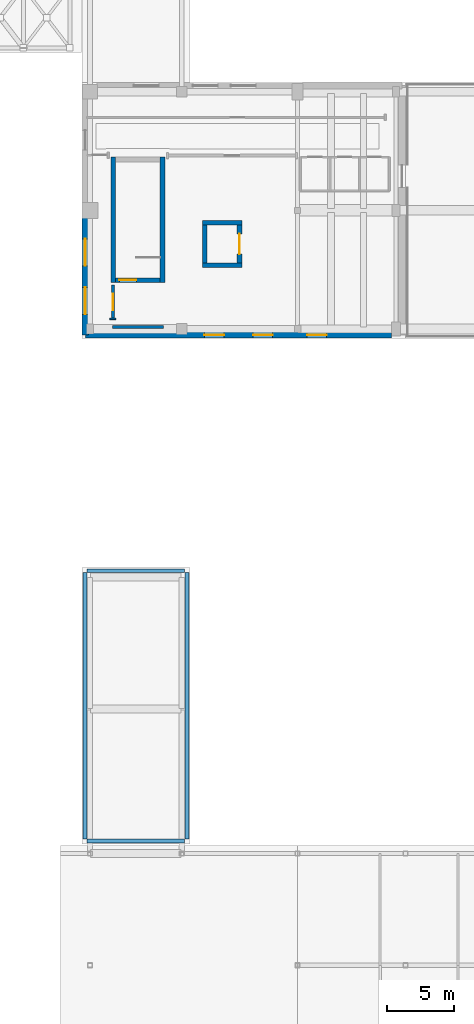
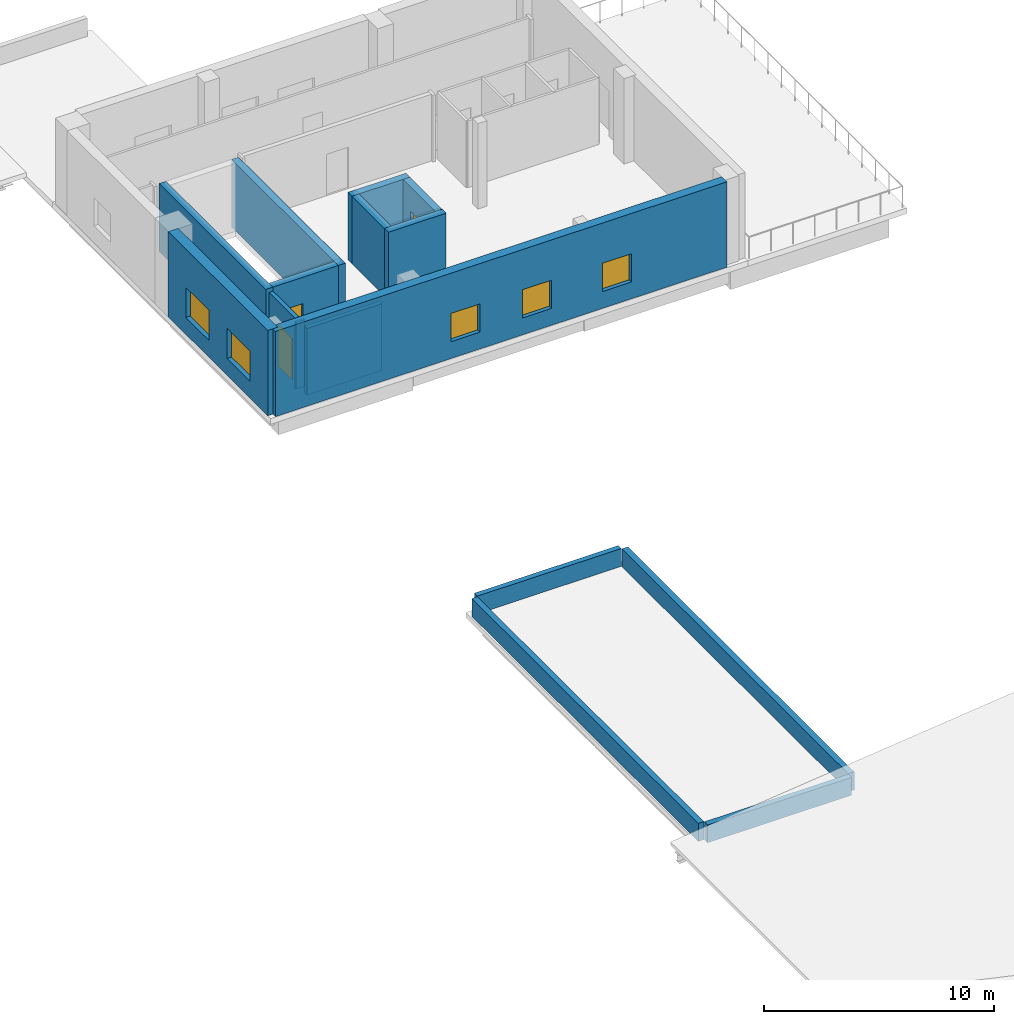
# One storey, part 34 of 49: 16 walls, 5 windows, 3 doors, 8 openings.
"""IFC4 building model written with IfcOpenShell, lengths in metres."""

from ifc_helpers import new_model, si_unit, direction, frame, frame_2d, origin, place, context, subcontext, project, spatial, rectangle, extrude, material, layer, layer_set, type_object, element, fill, save


model = new_model("IFC4")

# Units and contexts
model_context = context("Model", 3, precision=1e-05, world=origin(), true_north=direction((0.0, 1.0)))
body_context = subcontext(model_context, "Body", "Model", "MODEL_VIEW")
ifc_project = project(units=[si_unit("LENGTHUNIT", "METRE"), si_unit("AREAUNIT", "SQUARE_METRE"), si_unit("VOLUMEUNIT", "CUBIC_METRE"), si_unit("PLANEANGLEUNIT", "RADIAN"), si_unit("MASSUNIT", "GRAM", prefix="KILO")], contexts=[model_context])

# Site, building, storey
site_placement = place(None, origin())
site = spatial("IfcSite", under=ifc_project, at=site_placement, CompositionType="ELEMENT")
building_placement = place(site_placement, origin())
building = spatial("IfcBuilding", under=site, at=building_placement, Name="Soyqirgoq Riverine Aquarium", CompositionType="ELEMENT")
storey_placement = place(building_placement, frame((0.0, 0.0, 15.0)))
storey = spatial("IfcBuildingStorey", under=building, at=storey_placement, Name="L04", CompositionType="ELEMENT", Elevation=15.0)

# Walls
ifc_material_1 = material(Name="Concrete C40/50", Category="concrete")
ifc_layer_1 = layer(ifc_material_1, 0.35009765625)
ifc_layer_set_1 = layer_set([ifc_layer_1], Name="Concrete C40/50")
wall_type_1 = type_object("IfcWallType", Name="CoreShearWall_350_C40", PredefinedType="SHEAR", material=ifc_layer_set_1)
for number, where, z_axis, x_axis, name in (
    (1, (127.97509765625, 60.14990234375, 0.0), (0.0, 0.0, 1.0), (0.0, 1.0, 0.0), "CORE-7 L04 Stair Core Shear Wall SIDE1"),
    (2, (124.324951171875, 69.449951171875, 0.0), (0.0, 0.0, 1.0), (0.0, -1.0, 0.0), "CORE-7 L04 Stair Core Shear Wall SIDE2"),
):
    element("IfcWall", number, at=place(storey_placement, frame(where, z_axis=z_axis, x_axis=x_axis)), inside=storey, type_object=wall_type_1, Name=name, PredefinedType="SHEAR", context=body_context, shape_type="SweptSolid", body=[
        extrude(rectangle(XDim=9.300048828125, YDim=0.35009765625, at=frame_2d((4.64990234375, 0.0))), origin(), (0.0, 0.0, 1.0), 3.60009765625),
    ])

# Wall, opening, door
wall_1_placement = place(storey_placement, frame((124.5, 60.324951171875, 0.0), z_axis=(0.0, 0.0, 1.0), x_axis=(1.0, 0.0, 0.0)))
wall_1 = element("IfcWall", 3, at=wall_1_placement, inside=storey, type_object=wall_type_1, Name="CORE-7 L04 Stair Core Shear Wall FRONT", PredefinedType="SHEAR", context=body_context, shape_type="SweptSolid", body=[
    extrude(rectangle(XDim=3.300048828125, YDim=0.35009765625, at=frame_2d((1.64990234375, 0.0))), origin(), (0.0, 0.0, 1.0), 3.60009765625),
])
opening_1_placement = place(wall_1_placement, frame((0.280029296875, 0.0, 0.0)))
opening_1 = element("IfcOpeningElement", 4, at=opening_1_placement, cuts=wall_1, Name="Opening FD-01", PredefinedType="OPENING", context=body_context, shape_type="SweptSolid", body=[
    extrude(rectangle(XDim=1.25, YDim=2.199951171875, at=frame_2d((0.625, 1.10009765625))), frame((0.0, 0.18505859375, 0.0), z_axis=(0.0, -1.0, 0.0), x_axis=(1.0, 0.0, 0.0)), (0.0, 0.0, 1.0), 0.3701171875),
])
ifc_material_2 = material(Name="Galvanised steel fire-resisting stair door", Category="steel")
door_type_1 = type_object("IfcDoorType", Name="StairFireDoor_1250x2200_EI90", OperationType="NOTDEFINED", PredefinedType="DOOR", material=ifc_material_2)
door_1_placement = place(opening_1_placement, origin())
door_1 = element("IfcDoor", 5, at=door_1_placement, inside=storey, type_object=door_type_1, Name="DR-ST-8-L04 ST-8 L04 Fire-Rated Stairwell Door", OperationType="SINGLE_SWING_LEFT", OverallHeight=2.199951171875, OverallWidth=1.25, PredefinedType="DOOR", context=body_context, shape_type="SweptSolid", body=[
    extrude(rectangle(XDim=1.25, YDim=2.199951171875, at=frame_2d((0.625, 1.10009765625))), frame((0.0, 0.02490234375, 0.0), z_axis=(0.0, -1.0, 0.0), x_axis=(1.0, 0.0, 0.0)), (0.0, 0.0, 1.0), 0.050048828125),
])
fill(opening_1, door_1)

# Wall
wall_2_placement = place(storey_placement, frame((130.945068359375, 61.419921875, 0.0), z_axis=(0.0, 0.0, 1.0), x_axis=(1.0, 0.0, 0.0)))
element("IfcWall", 6, at=wall_2_placement, inside=storey, type_object=wall_type_1, Name="Lift GL-2 Shaft Wall L04 1", PredefinedType="SHEAR", context=body_context, shape_type="SweptSolid", body=[
    extrude(rectangle(XDim=2.909912109375, YDim=0.35009765625, at=frame_2d((1.455078125, 0.0))), origin(), (0.0, 0.0, 1.0), 3.60009765625),
])

# Wall, opening, door
wall_3_placement = place(storey_placement, frame((133.679931640625, 61.594970703125, 0.0), z_axis=(0.0, 0.0, 1.0), x_axis=(0.0, 1.0, 0.0)))
wall_3 = element("IfcWall", 7, at=wall_3_placement, inside=storey, type_object=wall_type_1, Name="Lift GL-2 Shaft Wall L04 2", PredefinedType="SHEAR", context=body_context, shape_type="SweptSolid", body=[
    extrude(rectangle(XDim=2.81005859375, YDim=0.35009765625, at=frame_2d((1.405029296875, 0.0))), origin(), (0.0, 0.0, 1.0), 3.60009765625),
])
opening_2_placement = place(wall_3_placement, frame((0.655029296875, 0.0, 0.0)))
opening_2 = element("IfcOpeningElement", 8, at=opening_2_placement, cuts=wall_3, Name="Opening LD-02", PredefinedType="OPENING", context=body_context, shape_type="SweptSolid", body=[
    extrude(rectangle(XDim=1.5, YDim=2.300048828125, at=frame_2d((0.75, 1.14990234375))), frame((0.0, 0.18505859375, 0.0), z_axis=(0.0, -1.0, 0.0), x_axis=(1.0, 0.0, 0.0)), (0.0, 0.0, 1.0), 0.3701171875),
])
ifc_material_3 = material(Name="Heavy-duty stainless steel bi-parting lift landing door", Category="steel")
door_type_2 = type_object("IfcDoorType", Name="GoodsLiftLandingDoor_1500x2300", OperationType="SLIDING_TO_LEFT", PredefinedType="DOOR", material=ifc_material_3)
door_2_placement = place(opening_2_placement, origin())
door_2 = element("IfcDoor", 9, at=door_2_placement, inside=storey, type_object=door_type_2, Name="LD-GL-2-L04 Lift GL-2 L04 Sliding Landing Door", OperationType="SLIDING_TO_LEFT", OverallHeight=2.300048828125, OverallWidth=1.5, PredefinedType="DOOR", context=body_context, shape_type="SweptSolid", body=[
    extrude(rectangle(XDim=1.5, YDim=2.300048828125, at=frame_2d((0.75, 1.14990234375))), frame((0.0, 0.02490234375, 0.0), z_axis=(0.0, -1.0, 0.0), x_axis=(1.0, 0.0, 0.0)), (0.0, 0.0, 1.0), 0.050048828125),
])
fill(opening_2, door_2)

# Walls
wall_4_placement = place(storey_placement, frame((133.85498046875, 64.580078125, 0.0), z_axis=(0.0, 0.0, 1.0), x_axis=(-1.0, 0.0, 0.0)))
element("IfcWall", 10, at=wall_4_placement, inside=storey, type_object=wall_type_1, Name="Lift GL-2 Shaft Wall L04 3", PredefinedType="SHEAR", context=body_context, shape_type="SweptSolid", body=[
    extrude(rectangle(XDim=2.909912109375, YDim=0.35009765625, at=frame_2d((1.455078125, 0.0))), origin(), (0.0, 0.0, 1.0), 3.60009765625),
])
wall_5_placement = place(storey_placement, frame((131.1201171875, 64.405029296875, 0.0), z_axis=(0.0, 0.0, 1.0), x_axis=(0.0, -1.0, 0.0)))
element("IfcWall", 11, at=wall_5_placement, inside=storey, type_object=wall_type_1, Name="Lift GL-2 Shaft Wall L04 4", PredefinedType="SHEAR", context=body_context, shape_type="SweptSolid", body=[
    extrude(rectangle(XDim=2.81005859375, YDim=0.35009765625, at=frame_2d((1.405029296875, 0.0))), origin(), (0.0, 0.0, 1.0), 3.60009765625),
])
ifc_material_4 = material(Name="Precast concrete C40/50", Category="concrete")
ifc_layer_2 = layer(ifc_material_4, 0.260009765625)
ifc_layer_set_2 = layer_set([ifc_layer_2], Name="Precast concrete C40/50")
wall_type_2 = type_object("IfcWallType", Name="ParapetWall_260", PredefinedType="PARAPET", material=ifc_layer_set_2)
wall_6_placement = place(storey_placement, frame((122.3798828125, 38.780029296875, 0.0), z_axis=(0.0, 0.0, 1.0), x_axis=(1.0, 0.0, 0.0)))
element("IfcWall", 12, at=wall_6_placement, inside=storey, type_object=wall_type_2, Name="L04 Roof Parapet Upstand 002", PredefinedType="PARAPET", context=body_context, shape_type="SweptSolid", body=[
    extrude(rectangle(XDim=7.240234375, YDim=0.260009765625, at=frame_2d((3.6201171875, 0.0))), origin(), (0.0, 0.0, 1.0), 0.949951171875),
])
ifc_material_5 = material(Name="Precast concrete C40/50", Category="concrete")
ifc_layer_3 = layer(ifc_material_5, 0.280029296875)
ifc_layer_set_3 = layer_set([ifc_layer_3], Name="Precast concrete C40/50")
wall_type_3 = type_object("IfcWallType", Name="ParapetWall_280", PredefinedType="PARAPET", material=ifc_layer_set_3)
wall_7_placement = place(storey_placement, frame((122.219970703125, 18.8798828125, 0.0), z_axis=(0.0, 0.0, 1.0), x_axis=(0.0, 1.0, 0.0)))
element("IfcWall", 13, at=wall_7_placement, inside=storey, type_object=wall_type_3, Name="L04 Roof Parapet Upstand 001", PredefinedType="PARAPET", context=body_context, shape_type="SweptSolid", body=[
    extrude(rectangle(XDim=19.740234375, YDim=0.280029296875, at=frame_2d((9.8701171875, 0.0))), origin(), (0.0, 0.0, 1.0), 0.949951171875),
])
wall_8_placement = place(storey_placement, frame((129.6201171875, 18.719970703125, 0.0), z_axis=(0.0, 0.0, 1.0), x_axis=(-1.0, 0.0, 0.0)))
element("IfcWall", 14, at=wall_8_placement, inside=storey, type_object=wall_type_3, Name="L04 Roof Parapet Upstand 004", PredefinedType="PARAPET", context=body_context, shape_type="SweptSolid", body=[
    extrude(rectangle(XDim=7.240234375, YDim=0.280029296875, at=frame_2d((3.6201171875, 0.0))), origin(), (0.0, 0.0, 1.0), 0.949951171875),
])
ifc_material_6 = material(Name="Precast concrete C40/50", Category="concrete")
ifc_layer_4 = layer(ifc_material_6, 0.300048828125)
ifc_layer_set_4 = layer_set([ifc_layer_4], Name="Precast concrete C40/50")
wall_type_4 = type_object("IfcWallType", Name="ParapetWall_300", PredefinedType="PARAPET", material=ifc_layer_set_4)
wall_9_placement = place(storey_placement, frame((129.780029296875, 38.6201171875, 0.0), z_axis=(0.0, 0.0, 1.0), x_axis=(0.0, -1.0, 0.0)))
element("IfcWall", 15, at=wall_9_placement, inside=storey, type_object=wall_type_4, Name="L04 Roof Parapet Upstand 003", PredefinedType="PARAPET", context=body_context, shape_type="SweptSolid", body=[
    extrude(rectangle(XDim=19.740234375, YDim=0.300048828125, at=frame_2d((9.8701171875, 0.0))), origin(), (0.0, 0.0, 1.0), 0.949951171875),
])
ifc_material_7 = material(Name="Lightweight steel-stud gypsum partition", Category="steel")
ifc_layer_5 = layer(ifc_material_7, 0.1201171875)
ifc_layer_set_5 = layer_set([ifc_layer_5], Name="Lightweight steel-stud gypsum partition")
wall_type_5 = type_object("IfcWallType", Name="PartitionWall_120_Std", PredefinedType="PARTITIONING", material=ifc_layer_set_5)
wall_10_placement = place(storey_placement, frame((124.080078125, 57.449951171875, 0.0), z_axis=(0.0, 0.0, 1.0), x_axis=(1.0, 0.0, 0.0)))
element("IfcWall", 16, at=wall_10_placement, inside=storey, type_object=wall_type_5, Name="V7 L04 Jamb Return Pier", PredefinedType="PARTITIONING", context=body_context, shape_type="SweptSolid", body=[
    extrude(rectangle(XDim=0.43994140625, YDim=0.1201171875, at=frame_2d((0.219970703125, 0.0))), origin(), (0.0, 0.0, 1.0), 3.550048828125),
])

# Wall, opening, door
ifc_material_8 = material(Name="Fire-rated calcium silicate twin-stud partition", Category="gypsum")
ifc_layer_6 = layer(ifc_material_8, 0.199951171875)
ifc_layer_set_6 = layer_set([ifc_layer_6], Name="Fire-rated calcium silicate twin-stud partition")
wall_type_6 = type_object("IfcWallType", Name="PartitionWall_200_EI90", PredefinedType="PARTITIONING", material=ifc_layer_set_6)
wall_11_placement = place(storey_placement, frame((124.300048828125, 59.949951171875, 0.0), z_axis=(0.0, 0.0, 1.0), x_axis=(0.0, -1.0, 0.0)))
wall_11 = element("IfcWall", 17, at=wall_11_placement, inside=storey, type_object=wall_type_6, Name="Lift and Stair Lobby ST-8 Fire Enclosure Wall", PredefinedType="PARTITIONING", context=body_context, shape_type="SweptSolid", body=[
    extrude(rectangle(XDim=2.5, YDim=0.199951171875, at=frame_2d((1.25, 0.0))), origin(), (0.0, 0.0, 1.0), 3.550048828125),
])
opening_3_placement = place(wall_11_placement, frame((0.625, 0.0, 0.0)))
opening_3 = element("IfcOpeningElement", 18, at=opening_3_placement, cuts=wall_11, Name="Opening FD-01", PredefinedType="OPENING", context=body_context, shape_type="SweptSolid", body=[
    extrude(rectangle(XDim=1.25, YDim=2.199951171875, at=frame_2d((0.625, 1.10009765625))), frame((0.0, 0.10986328125, 0.0), z_axis=(0.0, -1.0, 0.0), x_axis=(1.0, 0.0, 0.0)), (0.0, 0.0, 1.0), 0.219970703125),
])
door_3_placement = place(opening_3_placement, origin())
door_3 = element("IfcDoor", 19, at=door_3_placement, inside=storey, type_object=door_type_1, Name="IDR-V7-L04-0241 Lift and Stair Lobby ST-8 Egress Fire Door", OperationType="SINGLE_SWING_LEFT", OverallHeight=2.199951171875, OverallWidth=1.25, PredefinedType="DOOR", context=body_context, shape_type="SweptSolid", body=[
    extrude(rectangle(XDim=1.25, YDim=2.199951171875, at=frame_2d((0.625, 1.10009765625))), frame((0.0, 0.02490234375, 0.0), z_axis=(0.0, -1.0, 0.0), x_axis=(1.0, 0.0, 0.0)), (0.0, 0.0, 1.0), 0.050048828125),
])
fill(opening_3, door_3)

# Wall
ifc_material_9 = material(Name="Fire-rated masonry shaft wall", Category="masonry")
ifc_layer_7 = layer(ifc_material_9, 0.219970703125)
ifc_layer_set_7 = layer_set([ifc_layer_7], Name="Fire-rated masonry shaft wall")
wall_type_7 = type_object("IfcWallType", Name="RiserShaftWall_220_EI120", PredefinedType="SOLIDWALL", material=ifc_layer_set_7)
wall_12_placement = place(storey_placement, frame((128.0400390625, 56.860107421875, 0.0), z_axis=(0.0, 0.0, 1.0), x_axis=(-1.0, 0.0, 0.0)))
element("IfcWall", 20, at=wall_12_placement, inside=storey, type_object=wall_type_7, Name="Air Handling and Heat Recovery Plant Partition Wall", PredefinedType="SOLIDWALL", context=body_context, shape_type="SweptSolid", body=[
    extrude(rectangle(XDim=3.780029296875, YDim=0.219970703125, at=frame_2d((1.89013671875, 0.0))), origin(), (0.0, 0.0, 1.0), 3.550048828125),
])

# Wall, openings, windows
ifc_material_10 = material(Name="Honed travertine limestone cavity wall", Category="masonry")
ifc_layer_8 = layer(ifc_material_10, 0.449951171875)
ifc_layer_set_8 = layer_set([ifc_layer_8], Name="Honed travertine limestone cavity wall")
wall_type_8 = type_object("IfcWallType", Name="TravertineCavityWall_450", PredefinedType="SOLIDWALL", material=ifc_layer_set_8)
wall_13_placement = place(storey_placement, frame((144.97998046875, 56.25, 0.0), z_axis=(0.0, 0.0, 1.0), x_axis=(-1.0, 0.0, 0.0)))
wall_13 = element("IfcWall", 21, at=wall_13_placement, inside=storey, type_object=wall_type_8, Name="V7 L04 Exterior Travertine Wall 0399", PredefinedType="SOLIDWALL", context=body_context, shape_type="SweptSolid", body=[
    extrude(rectangle(XDim=22.72998046875, YDim=0.449951171875, at=frame_2d((11.364990234375, 0.0))), origin(), (0.0, 0.0, 1.0), 4.5400390625),
])
opening_4_placement = place(wall_13_placement, frame((4.820068359375, 0.0, 0.89990234375)))
opening_4 = element("IfcOpeningElement", 22, at=opening_4_placement, cuts=wall_13, Name="Opening WN-15", PredefinedType="OPENING", context=body_context, shape_type="SweptSolid", body=[
    extrude(rectangle(XDim=1.449951171875, YDim=1.5, at=frame_2d((0.72509765625, 0.75))), frame((0.0, 0.23486328125, 0.0), z_axis=(0.0, -1.0, 0.0), x_axis=(1.0, 0.0, 0.0)), (0.0, 0.0, 1.0), 0.469970703125),
])
opening_5_placement = place(wall_13_placement, frame((8.840087890625, 0.0, 0.89990234375)))
opening_5 = element("IfcOpeningElement", 23, at=opening_5_placement, cuts=wall_13, Name="Opening WN-15", PredefinedType="OPENING", context=body_context, shape_type="SweptSolid", body=[
    extrude(rectangle(XDim=1.449951171875, YDim=1.5, at=frame_2d((0.72509765625, 0.75))), frame((0.0, 0.23486328125, 0.0), z_axis=(0.0, -1.0, 0.0), x_axis=(1.0, 0.0, 0.0)), (0.0, 0.0, 1.0), 0.469970703125),
])
opening_6_placement = place(wall_13_placement, frame((12.43994140625, 0.0, 0.89990234375)))
opening_6 = element("IfcOpeningElement", 24, at=opening_6_placement, cuts=wall_13, Name="Opening WN-15", PredefinedType="OPENING", context=body_context, shape_type="SweptSolid", body=[
    extrude(rectangle(XDim=1.449951171875, YDim=1.5, at=frame_2d((0.72509765625, 0.75))), frame((0.0, 0.23486328125, 0.0), z_axis=(0.0, -1.0, 0.0), x_axis=(1.0, 0.0, 0.0)), (0.0, 0.0, 1.0), 0.469970703125),
])
ifc_material_11 = material(Name="Thermally broken aluminium triple low-E window", Category="aluminium")
window_type_1 = type_object("IfcWindowType", Name="Win_Lab_1450x1500", PartitioningType="DOUBLE_PANEL_VERTICAL", PredefinedType="WINDOW", material=ifc_material_11)
window_1_placement = place(opening_4_placement, origin())
window_1 = element("IfcWindow", 25, at=window_1_placement, inside=storey, type_object=window_type_1, Name="V7 L04 Facade Window 0367", OverallHeight=1.5, OverallWidth=1.449951171875, PartitioningType="DOUBLE_PANEL_VERTICAL", PredefinedType="WINDOW", context=body_context, shape_type="SweptSolid", body=[
    extrude(rectangle(XDim=1.449951171875, YDim=1.5, at=frame_2d((0.72509765625, 0.75))), frame((0.0, 0.030029296875, 0.0), z_axis=(0.0, -1.0, 0.0), x_axis=(1.0, 0.0, 0.0)), (0.0, 0.0, 1.0), 0.06005859375),
])
fill(opening_4, window_1)
window_2_placement = place(opening_5_placement, origin())
window_2 = element("IfcWindow", 26, at=window_2_placement, inside=storey, type_object=window_type_1, Name="V7 L04 Facade Window 0368", OverallHeight=1.5, OverallWidth=1.449951171875, PartitioningType="DOUBLE_PANEL_VERTICAL", PredefinedType="WINDOW", context=body_context, shape_type="SweptSolid", body=[
    extrude(rectangle(XDim=1.449951171875, YDim=1.5, at=frame_2d((0.72509765625, 0.75))), frame((0.0, 0.030029296875, 0.0), z_axis=(0.0, -1.0, 0.0), x_axis=(1.0, 0.0, 0.0)), (0.0, 0.0, 1.0), 0.06005859375),
])
fill(opening_5, window_2)
window_3_placement = place(opening_6_placement, origin())
window_3 = element("IfcWindow", 27, at=window_3_placement, inside=storey, type_object=window_type_1, Name="V7 L04 Facade Window 0369", OverallHeight=1.5, OverallWidth=1.449951171875, PartitioningType="DOUBLE_PANEL_VERTICAL", PredefinedType="WINDOW", context=body_context, shape_type="SweptSolid", body=[
    extrude(rectangle(XDim=1.449951171875, YDim=1.5, at=frame_2d((0.72509765625, 0.75))), frame((0.0, 0.030029296875, 0.0), z_axis=(0.0, -1.0, 0.0), x_axis=(1.0, 0.0, 0.0)), (0.0, 0.0, 1.0), 0.06005859375),
])
fill(opening_6, window_3)

ifc_material_12 = material(Name="Honed travertine limestone cavity wall", Category="masonry")
ifc_layer_9 = layer(ifc_material_12, 0.5)
ifc_layer_set_9 = layer_set([ifc_layer_9], Name="Honed travertine limestone cavity wall")
wall_type_9 = type_object("IfcWallType", Name="TravertineCavityWall_500", PredefinedType="SOLIDWALL", material=ifc_layer_set_9)
wall_14_placement = place(storey_placement, frame((122.25, 56.25, 0.0), z_axis=(0.0, 0.0, 1.0), x_axis=(0.0, 1.0, 0.0)))
wall_14 = element("IfcWall", 28, at=wall_14_placement, inside=storey, type_object=wall_type_9, Name="V7 L04 Exterior Travertine Wall 0394", PredefinedType="SOLIDWALL", context=body_context, shape_type="SweptSolid", body=[
    extrude(rectangle(XDim=8.679931640625, YDim=0.5, at=frame_2d((4.33984375, 0.0))), origin(), (0.0, 0.0, 1.0), 4.5400390625),
])
opening_7_placement = place(wall_14_placement, frame((1.5400390625, 0.0, 0.89990234375)))
opening_7 = element("IfcOpeningElement", 29, at=opening_7_placement, cuts=wall_14, Name="Opening WN-07", PredefinedType="OPENING", context=body_context, shape_type="SweptSolid", body=[
    extrude(rectangle(XDim=2.0, YDim=1.60009765625, at=frame_2d((1.0, 0.800048828125))), frame((0.0, 0.260009765625, 0.0), z_axis=(0.0, -1.0, 0.0), x_axis=(1.0, 0.0, 0.0)), (0.0, 0.0, 1.0), 0.52001953125),
])
opening_8_placement = place(wall_14_placement, frame((5.139892578125, 0.0, 0.89990234375)))
opening_8 = element("IfcOpeningElement", 30, at=opening_8_placement, cuts=wall_14, Name="Opening WN-07", PredefinedType="OPENING", context=body_context, shape_type="SweptSolid", body=[
    extrude(rectangle(XDim=2.0, YDim=1.60009765625, at=frame_2d((1.0, 0.800048828125))), frame((0.0, 0.260009765625, 0.0), z_axis=(0.0, -1.0, 0.0), x_axis=(1.0, 0.0, 0.0)), (0.0, 0.0, 1.0), 0.52001953125),
])
ifc_material_13 = material(Name="Thermally broken aluminium triple low-E window", Category="aluminium")
window_type_2 = type_object("IfcWindowType", Name="Win_Lab_2000x1600", PartitioningType="TRIPLE_PANEL_VERTICAL", PredefinedType="WINDOW", material=ifc_material_13)
window_4_placement = place(opening_7_placement, origin())
window_4 = element("IfcWindow", 31, at=window_4_placement, inside=storey, type_object=window_type_2, Name="V7 L04 Facade Window 0361", OverallHeight=1.60009765625, OverallWidth=2.0, PartitioningType="TRIPLE_PANEL_VERTICAL", PredefinedType="WINDOW", context=body_context, shape_type="SweptSolid", body=[
    extrude(rectangle(XDim=2.0, YDim=1.60009765625, at=frame_2d((1.0, 0.800048828125))), frame((0.0, 0.030029296875, 0.0), z_axis=(0.0, -1.0, 0.0), x_axis=(1.0, 0.0, 0.0)), (0.0, 0.0, 1.0), 0.06005859375),
])
fill(opening_7, window_4)
window_5_placement = place(opening_8_placement, origin())
window_5 = element("IfcWindow", 32, at=window_5_placement, inside=storey, type_object=window_type_2, Name="V7 L04 Facade Window 0362", OverallHeight=1.60009765625, OverallWidth=2.0, PartitioningType="TRIPLE_PANEL_VERTICAL", PredefinedType="WINDOW", context=body_context, shape_type="SweptSolid", body=[
    extrude(rectangle(XDim=2.0, YDim=1.60009765625, at=frame_2d((1.0, 0.800048828125))), frame((0.0, 0.030029296875, 0.0), z_axis=(0.0, -1.0, 0.0), x_axis=(1.0, 0.0, 0.0)), (0.0, 0.0, 1.0), 0.06005859375),
])
fill(opening_8, window_5)

save(model, "model.ifc")
